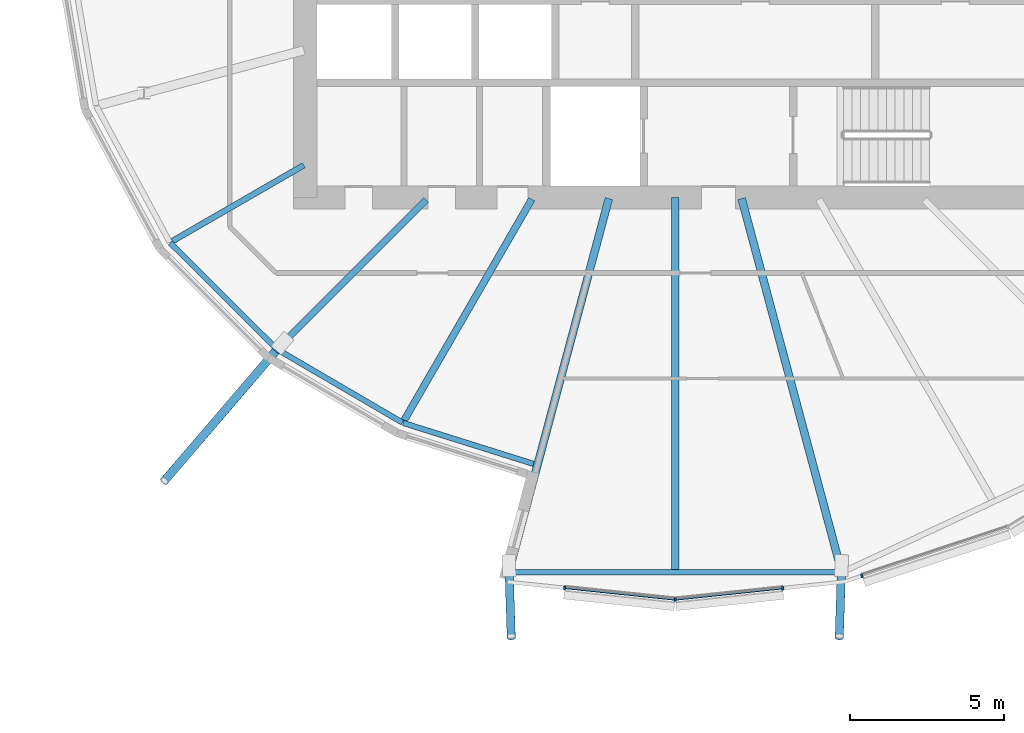
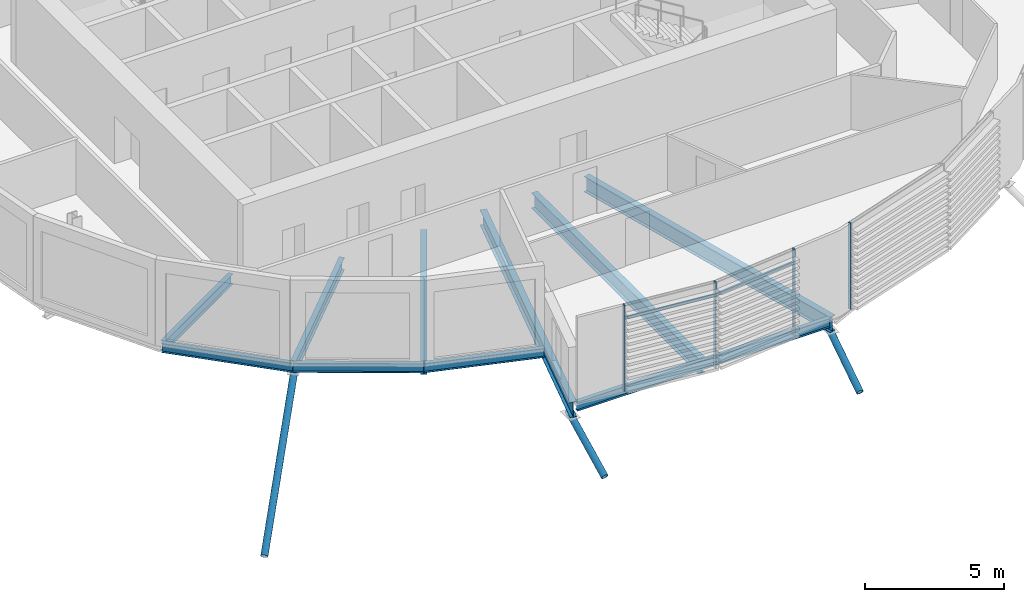
# One storey, part 3 of 39: 10 beams, 9 members, 1 element without a shape of its own.
"""IFC4 building model written with IfcOpenShell, lengths in metres."""

from ifc_helpers import new_model, si_unit, direction, frame, origin, origin_2d, place, context, subcontext, project, spatial, rectangle, hollow_circle, i_section, extrude, clip, halfspace, material, material_profile, profile_set, type_object, element, aggregate, save


model = new_model("IFC4")

# Units and contexts
model_context = context("Model", 3, precision=1e-05, world=origin(), true_north=direction((0.0, 1.0)))
body_context = subcontext(model_context, "Body", "Model", "MODEL_VIEW")
ifc_project = project(units=[si_unit("LENGTHUNIT", "METRE"), si_unit("AREAUNIT", "SQUARE_METRE"), si_unit("VOLUMEUNIT", "CUBIC_METRE"), si_unit("PLANEANGLEUNIT", "RADIAN"), si_unit("MASSUNIT", "GRAM", prefix="KILO")], contexts=[model_context])

# Site, building, storey
site_placement = place(None, origin())
site = spatial("IfcSite", under=ifc_project, at=site_placement, CompositionType="ELEMENT")
building_placement = place(site_placement, origin())
building = spatial("IfcBuilding", under=site, at=building_placement, Name="Rimbun Link Towers", CompositionType="ELEMENT")
storey_placement = place(building_placement, frame((0.0, 0.0, 96.800048828125)))
storey = spatial("IfcBuildingStorey", under=building, at=storey_placement, Name="L23", CompositionType="ELEMENT", Elevation=96.800048828125)

# Curtain wall, members
ifc_material_1 = material(Name="Aluminium 6063-T6 and low-iron glass", Category="aluminium")
curtain_wall_type = type_object("IfcCurtainWallType", Name="CW1-Z2 unitised vision wall (zone 2)", PredefinedType="NOTDEFINED", material=ifc_material_1)
curtain_wall_placement = place(storey_placement, origin())
curtain_wall = element("IfcCurtainWall", 1, at=curtain_wall_placement, inside=storey, type_object=curtain_wall_type, Name="CW1 L23 T1", PredefinedType="NOTDEFINED")
ifc_material_2 = material(Name="Aluminium 6063-T6", Category="aluminium")
ifc_material_profile_1 = material_profile(ifc_material_2, rectangle(XDim=0.1201171875, YDim=0.06005859375, at=origin_2d()), Name="MULLION 60X120")
ifc_profile_set_1 = profile_set([ifc_material_profile_1], Name="Aluminium 6063-T6")
member_type_1 = type_object("IfcMemberType", Name="CW1 mullion 60X120", PredefinedType="MULLION", material=ifc_profile_set_1)
member_1_placement = place(storey_placement, frame((-31.75, -21.037109375, 0.0), z_axis=(0.0, 0.0, 1.0), x_axis=(0.0, -1.0, 0.0)))
member_1 = element("IfcMember", 2, at=member_1_placement, type_object=member_type_1, Name="CW1 mullion", PredefinedType="MULLION", context=body_context, shape_type="SweptSolid", body=[
    extrude(rectangle(XDim=0.1201171875, YDim=0.06005859375, at=origin_2d()), origin(), (0.0, 0.0, 1.0), 3.800048828125),
])
member_2_placement = place(storey_placement, frame((-35.333251953125, -20.659912109375, 0.0), z_axis=(0.0, 0.0, 1.0), x_axis=(-0.104734976112, -0.994500168315, 0.0)))
member_2 = element("IfcMember", 3, at=member_2_placement, type_object=member_type_1, Name="CW1 mullion", PredefinedType="MULLION", context=body_context, shape_type="SweptSolid", body=[
    extrude(rectangle(XDim=0.1201171875, YDim=0.06005859375, at=origin_2d()), origin(), (0.0, 0.0, 1.0), 3.800048828125),
])
member_3_placement = place(storey_placement, frame((-28.26611328125, -20.67041015625, 0.0), z_axis=(0.0, 0.0, 1.0), x_axis=(0.104734976112, -0.994500168315, 0.0)))
member_3 = element("IfcMember", 4, at=member_3_placement, type_object=member_type_1, Name="CW1 mullion", PredefinedType="MULLION", context=body_context, shape_type="SweptSolid", body=[
    extrude(rectangle(XDim=0.1201171875, YDim=0.06005859375, at=origin_2d()), origin(), (0.0, 0.0, 1.0), 3.800048828125),
])
member_4_placement = place(storey_placement, frame((-25.695068359375, -20.26953125, 0.0), z_axis=(0.0, 0.0, 1.0), x_axis=(0.314555783293, -0.949238989505, 0.0)))
member_4 = element("IfcMember", 5, at=member_4_placement, type_object=member_type_1, Name="CW1 mullion", PredefinedType="MULLION", context=body_context, shape_type="SweptSolid", body=[
    extrude(rectangle(XDim=0.1201171875, YDim=0.06005859375, at=origin_2d()), origin(), (0.0, 0.0, 1.0), 3.800048828125),
])
ifc_material_3 = material(Name="Aluminium 6063-T6", Category="aluminium")
ifc_material_profile_2 = material_profile(ifc_material_3, rectangle(XDim=0.06005859375, YDim=0.1201171875, at=origin_2d()), Name="TRANSOM 60X120")
ifc_profile_set_2 = profile_set([ifc_material_profile_2], Name="Aluminium 6063-T6")
member_type_2 = type_object("IfcMemberType", Name="CW1 transom 60X120", PredefinedType="USERDEFINED", material=ifc_profile_set_2)
member_5_placement = place(storey_placement, frame((-31.785888671875, -21.031494140625, 3.199951171875), z_axis=(-0.994502048221, 0.104717124117, 0.0), x_axis=(-0.104717124117, -0.994502048221, 0.0)))
member_5 = element("IfcMember", 6, at=member_5_placement, type_object=member_type_2, Name="CW1 transom", ObjectType="TRANSOM", PredefinedType="USERDEFINED", context=body_context, shape_type="SweptSolid", body=[
    extrude(rectangle(XDim=0.06005859375, YDim=0.1201171875, at=origin_2d()), origin(), (0.0, 0.0, 1.0), 3.536865234375),
])
member_6_placement = place(storey_placement, frame((-28.296142578125, -20.671630859375, 3.199951171875), z_axis=(-0.994503117246, -0.104706971059, 0.0), x_axis=(0.104706971059, -0.994503117246, 0.0)))
member_6 = element("IfcMember", 7, at=member_6_placement, type_object=member_type_2, Name="CW1 transom", ObjectType="TRANSOM", PredefinedType="USERDEFINED", context=body_context, shape_type="SweptSolid", body=[
    extrude(rectangle(XDim=0.06005859375, YDim=0.1201171875, at=origin_2d()), origin(), (0.0, 0.0, 1.0), 3.436767578125),
])
aggregate(curtain_wall, [member_1, member_2, member_3, member_4, member_5, member_6])

# Members
ifc_material_4 = material(Name="Steel S355J2H", Category="steel")
ifc_material_profile_3 = material_profile(ifc_material_4, hollow_circle(Radius=0.136474609375, WallThickness=0.012451171875, at=origin_2d()), Name="CHS 273x12.5")
ifc_profile_set_3 = profile_set([ifc_material_profile_3], Name="Steel S355J2H")
member_type_3 = type_object("IfcMemberType", Name="Floor edge link CHS 273x12.5", PredefinedType="BRACE", material=ifc_profile_set_3)
member_7_placement = place(storey_placement, frame((-44.56982421875, -12.81982421875, -0.80615234375), z_axis=(-0.533255489975, -0.622027375417, -0.573341544495), x_axis=(0.759202823757, -0.65085410992, 0.0)))
element("IfcMember", 8, at=member_7_placement, inside=storey, type_object=member_type_3, Name="Floor edge link T1 L23 15", PredefinedType="BRACE", context=body_context, shape_type="Clipping", body=[
    clip(extrude(hollow_circle(Radius=0.136474609375, WallThickness=0.012451171875, at=origin_2d()), frame((0.0, 0.0, -0.407470703125)), (0.0, 0.0, 1.0), 7.447998046875), halfspace(frame((0.0, 0.0, -0.193603515625), z_axis=(0.0, 0.819316467158, -0.573341544495)), False)),
])
for number, where, z_axis, x_axis, name in (
    (9, (-37.13818359375, -20.1083984375, -0.961669921875), (0.02801346383, -0.868124555062, -0.495555246913), (0.999479763833, 0.032252157884, 0.0), "Floor edge link T1 L23 17"),
    (10, (-26.36181640625, -20.1083984375, -0.961669921875), (-0.02801346383, -0.868124555062, -0.495555246913), (0.999479763833, -0.032252157884, 0.0), "Floor edge link T1 L23 19"),
):
    element("IfcMember", number, at=place(storey_placement, frame(where, z_axis=z_axis, x_axis=x_axis)), inside=storey, type_object=member_type_3, Name=name, PredefinedType="BRACE", context=body_context, shape_type="Clipping", body=[
        clip(extrude(hollow_circle(Radius=0.136474609375, WallThickness=0.012451171875, at=origin_2d()), frame((0.0, 0.0, -0.498779296875)), (0.0, 0.0, 1.0), 3.0), halfspace(frame((0.0, 0.0, -0.234375), z_axis=(0.0, 0.868576419929, -0.495555246913)), False)),
    ])

# Beams
ifc_material_5 = material(Name="Steel S355J2", Category="steel")
ifc_material_profile_4 = material_profile(ifc_material_5, i_section(OverallWidth=0.177978515625, OverallDepth=0.406494140625, WebThickness=0.0078125, FlangeThickness=0.0126953125, at=origin_2d()), Name="UB 406x178x60")
ifc_profile_set_4 = profile_set([ifc_material_profile_4], Name="Steel S355J2")
beam_type_1 = type_object("IfcBeamType", Name="UB 406x178x60", PredefinedType="BEAM", material=ifc_profile_set_4)
beam_1_placement = place(storey_placement, frame((-48.127197265625, -9.470947265625, -0.36328125), z_axis=(0.708083429318, -0.706128782252, 0.0), x_axis=(0.706128782252, 0.708083429318, 0.0)))
element("IfcBeam", 11, at=beam_1_placement, inside=storey, type_object=beam_type_1, Name="Edge beam T1 L23 14 recess", PredefinedType="BEAM", context=body_context, shape_type="SweptSolid", body=[
    extrude(i_section(OverallWidth=0.177978515625, OverallDepth=0.406494140625, WebThickness=0.0078125, FlangeThickness=0.0126953125, at=origin_2d()), origin(), (0.0, 0.0, 1.0), 4.87109375),
])
beam_2_placement = place(storey_placement, frame((-44.65869140625, -12.925537109375, -0.36328125), z_axis=(0.86328357822, -0.504719192795, 0.0), x_axis=(0.504719192795, 0.86328357822, 0.0)))
element("IfcBeam", 12, at=beam_2_placement, inside=storey, type_object=beam_type_1, Name="Edge beam T1 L23 15 recess", PredefinedType="BEAM", context=body_context, shape_type="SweptSolid", body=[
    extrude(i_section(OverallWidth=0.177978515625, OverallDepth=0.406494140625, WebThickness=0.0078125, FlangeThickness=0.0126953125, at=origin_2d()), origin(), (0.0, 0.0, 1.0), 4.70556640625),
])
beam_3_placement = place(storey_placement, frame((-40.576416015625, -15.309326171875, -0.36328125), z_axis=(0.95394962569, -0.299966850912, 0.0), x_axis=(0.299966850912, 0.95394962569, 0.0)))
element("IfcBeam", 13, at=beam_3_placement, inside=storey, type_object=beam_type_1, Name="Edge beam T1 L23 16 recess", PredefinedType="BEAM", context=body_context, shape_type="SweptSolid", body=[
    extrude(i_section(OverallWidth=0.177978515625, OverallDepth=0.406494140625, WebThickness=0.0078125, FlangeThickness=0.0126953125, at=origin_2d()), origin(), (0.0, 0.0, 1.0), 4.435791015625),
])
beam_4_placement = place(storey_placement, frame((-37.018798828125, -20.15673828125, -0.36328125), z_axis=(1.0, 0.0, 0.0), x_axis=(0.0, 1.0, 0.0)))
element("IfcBeam", 14, at=beam_4_placement, inside=storey, type_object=beam_type_1, Name="Edge beam T1 L23 17-19", PredefinedType="BEAM", context=body_context, shape_type="SweptSolid", body=[
    extrude(i_section(OverallWidth=0.177978515625, OverallDepth=0.406494140625, WebThickness=0.0078125, FlangeThickness=0.0126953125, at=origin_2d()), origin(), (0.0, 0.0, 1.0), 10.53759765625),
])
ifc_material_6 = material(Name="Steel S355J2", Category="steel")
ifc_material_profile_5 = material_profile(ifc_material_6, i_section(OverallWidth=0.18994140625, OverallDepth=0.453369140625, WebThickness=0.008544921875, FlangeThickness=0.0126953125, at=origin_2d()), Name="UB 457x191x67")
ifc_profile_set_5 = profile_set([ifc_material_profile_5], Name="Steel S355J2")
beam_type_2 = type_object("IfcBeamType", Name="UB 457x191x67", PredefinedType="BEAM", material=ifc_profile_set_5)
beam_5_placement = place(storey_placement, frame((-43.79833984375, -6.9560546875, -0.38671875), z_axis=(-0.866020293397, -0.500008851346, 0.0), x_axis=(0.500008851346, -0.866020293397, 0.0)))
element("IfcBeam", 15, at=beam_5_placement, inside=storey, type_object=beam_type_2, Name="Radial beam T1 L23 14", PredefinedType="BEAM", context=body_context, shape_type="SweptSolid", body=[
    extrude(i_section(OverallWidth=0.18994140625, OverallDepth=0.453369140625, WebThickness=0.008544921875, FlangeThickness=0.0126953125, at=origin_2d()), origin(), (0.0, 0.0, 1.0), 4.91943359375),
])
ifc_material_7 = material(Name="Steel S355J2", Category="steel")
ifc_material_profile_6 = material_profile(ifc_material_7, i_section(OverallWidth=0.209228515625, OverallDepth=0.533203125, WebThickness=0.010009765625, FlangeThickness=0.015625, at=origin_2d()), Name="UB 533x210x92")
ifc_profile_set_6 = profile_set([ifc_material_profile_6], Name="Steel S355J2")
beam_type_3 = type_object("IfcBeamType", Name="UB 533x210x92", PredefinedType="BEAM", material=ifc_profile_set_6)
beam_6_placement = place(storey_placement, frame((-39.82470703125, -8.07470703125, -0.426513671875), z_axis=(-0.707106781187, -0.707106781187, 0.0), x_axis=(0.707106781187, -0.707106781187, 0.0)))
element("IfcBeam", 16, at=beam_6_placement, inside=storey, type_object=beam_type_3, Name="Radial beam T1 L23 15", PredefinedType="BEAM", context=body_context, shape_type="SweptSolid", body=[
    extrude(i_section(OverallWidth=0.209228515625, OverallDepth=0.533203125, WebThickness=0.010009765625, FlangeThickness=0.015625, at=origin_2d()), origin(), (0.0, 0.0, 1.0), 6.7607421875),
])
ifc_material_8 = material(Name="Steel S355J2", Category="steel")
ifc_material_profile_7 = material_profile(ifc_material_8, i_section(OverallWidth=0.2275390625, OverallDepth=0.6025390625, WebThickness=0.010498046875, FlangeThickness=0.014892578125, at=origin_2d()), Name="UB 610x229x101")
ifc_profile_set_7 = profile_set([ifc_material_profile_7], Name="Steel S355J2")
beam_type_4 = type_object("IfcBeamType", Name="UB 610x229x101", PredefinedType="BEAM", material=ifc_profile_set_7)
beam_7_placement = place(storey_placement, frame((-36.402099609375, -8.057861328125, -0.46142578125), z_axis=(-0.500008344384, -0.866020586098, 0.0), x_axis=(0.866020586098, -0.500008344384, 0.0)))
element("IfcBeam", 17, at=beam_7_placement, inside=storey, type_object=beam_type_4, Name="Radial beam T1 L23 16", PredefinedType="BEAM", context=body_context, shape_type="SweptSolid", body=[
    extrude(i_section(OverallWidth=0.2275390625, OverallDepth=0.6025390625, WebThickness=0.010498046875, FlangeThickness=0.014892578125, at=origin_2d()), origin(), (0.0, 0.0, 1.0), 8.279052734375),
])
ifc_material_9 = material(Name="Steel S355J2", Category="steel")
ifc_material_profile_8 = material_profile(ifc_material_9, i_section(OverallWidth=0.253662109375, OverallDepth=0.68359375, WebThickness=0.012451171875, FlangeThickness=0.01904296875, at=origin_2d()), Name="UB 686x254x140")
ifc_profile_set_8 = profile_set([ifc_material_profile_8], Name="Steel S355J2")
beam_type_5 = type_object("IfcBeamType", Name="UB 686x254x140", PredefinedType="BEAM", material=ifc_profile_set_8)
beam_8_placement = place(storey_placement, frame((-33.902587890625, -8.03369140625, -0.501953125), z_axis=(-0.258813870741, -0.96592721274, 0.0), x_axis=(0.96592721274, -0.258813870741, 0.0)))
element("IfcBeam", 18, at=beam_8_placement, inside=storey, type_object=beam_type_5, Name="Radial beam T1 L23 17", PredefinedType="BEAM", context=body_context, shape_type="SweptSolid", body=[
    extrude(i_section(OverallWidth=0.253662109375, OverallDepth=0.68359375, WebThickness=0.012451171875, FlangeThickness=0.01904296875, at=origin_2d()), origin(), (0.0, 0.0, 1.0), 12.55078125),
])
beam_9_placement = place(storey_placement, frame((-31.75, -8.0009765625, -0.501953125), z_axis=(0.0, -1.0, 0.0), x_axis=(1.0, 0.0, 0.0)))
element("IfcBeam", 19, at=beam_9_placement, inside=storey, type_object=beam_type_5, Name="Radial beam T1 L23 18", PredefinedType="BEAM", context=body_context, shape_type="SweptSolid", body=[
    extrude(i_section(OverallWidth=0.253662109375, OverallDepth=0.68359375, WebThickness=0.012451171875, FlangeThickness=0.01904296875, at=origin_2d()), origin(), (0.0, 0.0, 1.0), 12.06591796875),
])
beam_10_placement = place(storey_placement, frame((-29.597412109375, -8.03369140625, -0.501953125), z_axis=(0.258813870741, -0.96592721274, 0.0), x_axis=(0.96592721274, 0.258813870741, 0.0)))
element("IfcBeam", 20, at=beam_10_placement, inside=storey, type_object=beam_type_5, Name="Radial beam T1 L23 19", PredefinedType="BEAM", context=body_context, shape_type="SweptSolid", body=[
    extrude(i_section(OverallWidth=0.253662109375, OverallDepth=0.68359375, WebThickness=0.012451171875, FlangeThickness=0.01904296875, at=origin_2d()), origin(), (0.0, 0.0, 1.0), 12.55078125),
])

save(model, "model.ifc")
